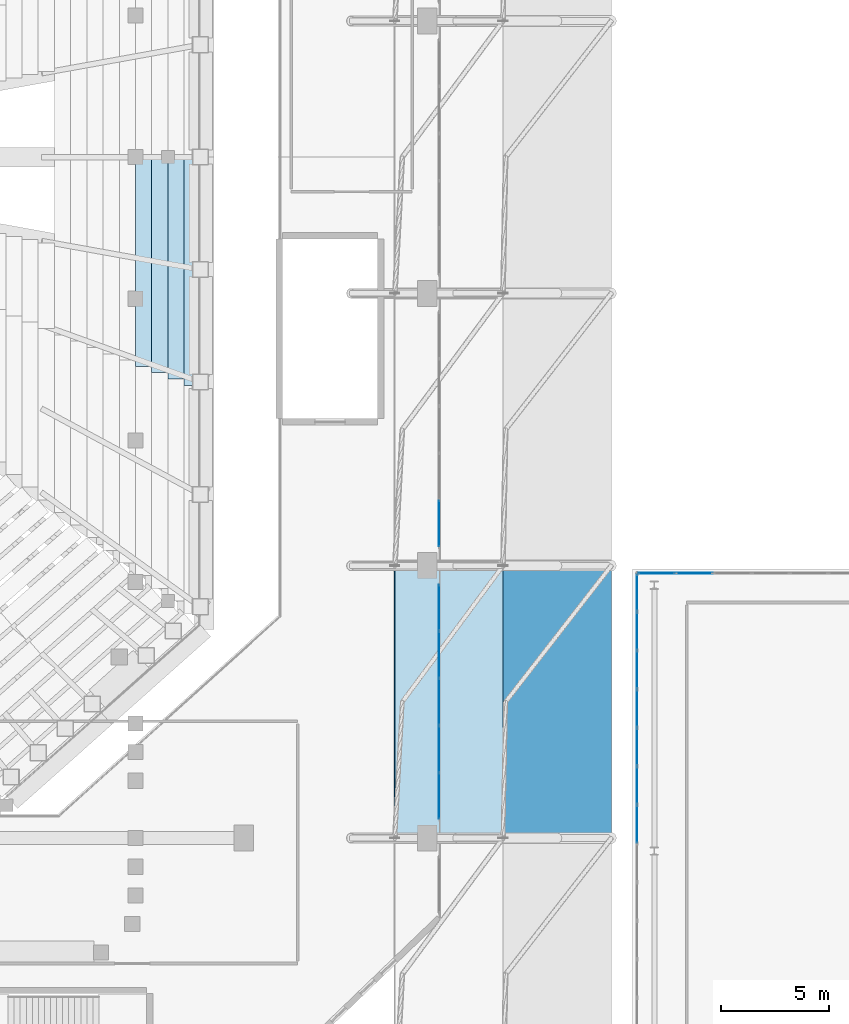
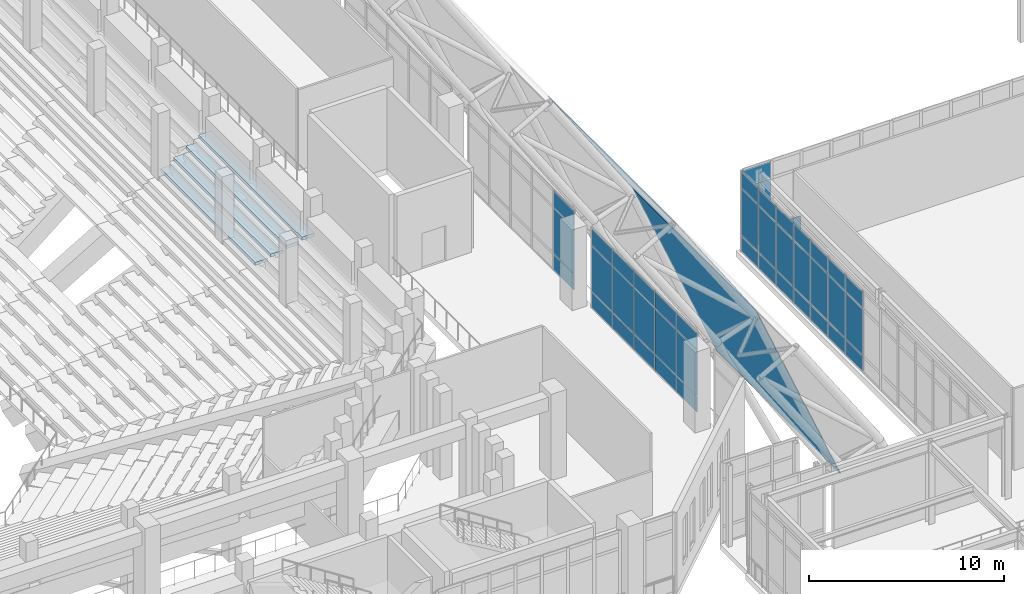
# One storey, part 97 of 159: 45 plates, 4 slabs, 4 elements without a shape of their own.
"""IFC4 building model written with IfcOpenShell, lengths in metres."""

from ifc_helpers import new_model, si_unit, derived_unit, direction, frame, origin, origin_2d, place, context, subcontext, project, spatial, polyline, rectangle, outline, extrude, material, layer, layer_set, type_object, element, aggregate, save


model = new_model("IFC4")

# Units and contexts
model_context = context("Model", 3, precision=1e-05, world=origin(), true_north=direction((0.0, 1.0)))
body_context = subcontext(model_context, "Body", "Model", "MODEL_VIEW")
ifc_project = project(units=[si_unit("LENGTHUNIT", "METRE"), si_unit("AREAUNIT", "SQUARE_METRE"), si_unit("VOLUMEUNIT", "CUBIC_METRE"), si_unit("PLANEANGLEUNIT", "RADIAN"), si_unit("MASSUNIT", "GRAM", prefix="KILO"), derived_unit("THERMALTRANSMITTANCEUNIT", [(si_unit("MASSUNIT", "GRAM", prefix="KILO"), 1), (si_unit("TIMEUNIT", "SECOND"), -3), (si_unit("THERMODYNAMICTEMPERATUREUNIT", "KELVIN"), -1)])], contexts=[model_context])

# Site, building, storey
site_placement = place(None, origin())
site = spatial("IfcSite", under=ifc_project, at=site_placement, CompositionType="ELEMENT")
building_placement = place(site_placement, origin())
building = spatial("IfcBuilding", under=site, at=building_placement, Name="Valcora Ridge Arena", CompositionType="ELEMENT")
storey_placement = place(building_placement, frame((0.0, 0.0, 6.0)))
storey = spatial("IfcBuildingStorey", under=building, at=storey_placement, Name="L01", CompositionType="ELEMENT", Elevation=6.0)

# Plates
ifc_material_1 = material(Name="Steel ASTM A572 Grade 50", Category="steel")
ifc_layer_1 = layer(ifc_material_1, 0.048095703125, Name="Steel ASTM A572 Grade 50")
ifc_layer_set_1 = layer_set([ifc_layer_1], Name="Steel ASTM A572 Grade 50")
plate_type_1 = type_object("IfcPlateType", Name="TY-PLATE-PL-SKIRT-13", PredefinedType="SHEET", material=ifc_layer_set_1)
plate_1_placement = place(storey_placement, frame((101.0, 32.60009765625, 13.45361328125), z_axis=(0.831958588032, 0.0, 0.554837731053), x_axis=(0.554837731053, 0.0, -0.831958588032)))
element("IfcPlate", 1, at=plate_1_placement, inside=storey, type_object=plate_type_1, Name="PL-SKIRT-13 PLT-RF-0003", PredefinedType="SHEET", context=body_context, shape_type="SweptSolid", body=[
    extrude(outline(polyline([(0.0, 0.0), (9.0116438017177, 0.0), (9.0116438017177, 12.599853515625), (0.0, 12.599853515625), (0.0, 0.0)])), origin(), (0.0, 0.0, -1.0), 0.048095703125),
])
ifc_layer_2 = layer(ifc_material_1, 0.048095703125, Name="Steel ASTM A572 Grade 50")
ifc_layer_set_2 = layer_set([ifc_layer_2], Name="Steel ASTM A572 Grade 50")
plate_type_2 = type_object("IfcPlateType", Name="TY-PLATE-PL-SKIRT-14", PredefinedType="SHEET", material=ifc_layer_set_2)
plate_2_placement = place(storey_placement, frame((106.0, 32.60009765625, 5.956298828125), z_axis=(0.922302243293, 0.0, 0.386469367501), x_axis=(0.386469367501, 0.0, -0.922302243293)))
element("IfcPlate", 2, at=plate_2_placement, inside=storey, type_object=plate_type_2, Name="PL-SKIRT-14 PLT-RF-0004", PredefinedType="SHEET", context=body_context, shape_type="SweptSolid", body=[
    extrude(outline(polyline([(0.0, 0.0), (12.963536535956578, 0.0), (12.963536535956578, 12.599853515624996), (0.0, 12.599853515624996), (0.0, 0.0)])), origin(), (0.0, 0.0, -1.0), 0.048095703125),
])

# Curtain wall, plates
ifc_material_2 = material(Name="Anodised dark bronze architectural aluminium 6063-T6", Category="aluminium")
ifc_layer_3 = layer(ifc_material_2, 0.179931640625, Name="Anodised dark bronze architectural aluminium 6063-T6")
ifc_layer_set_3 = layer_set([ifc_layer_3], Name="Anodised dark bronze architectural aluminium 6063-T6")
curtain_wall_type_1 = type_object("IfcCurtainWallType", Name="TY-CURTAINWALL-CW-V3-LANCET-194X51", PredefinedType="NOTDEFINED", material=ifc_layer_set_3)
curtain_wall_1_placement = place(storey_placement, origin())
curtain_wall_1 = element("IfcCurtainWall", 3, at=curtain_wall_1_placement, inside=storey, type_object=curtain_wall_type_1, Name="CW-V3-LANCET-194X51 CW-0017", PredefinedType="NOTDEFINED")
ifc_material_3 = material(Name="Low-iron solar-control double glazing SHGC 0.28", Category="glass")
ifc_layer_4 = layer(ifc_material_3, 0.031982421875, Name="Low-iron solar-control double glazing SHGC 0.28")
ifc_layer_set_4 = layer_set([ifc_layer_4], Name="Low-iron solar-control double glazing SHGC 0.28")
plate_type_3 = type_object("IfcPlateType", Name="TY-PLT-CWP-1678X0960", PredefinedType="CURTAIN_PANEL", material=ifc_layer_set_4)
plate_3_placement = place(storey_placement, frame((113.09912109375, 44.85009765625, 0.06005859375), z_axis=(0.0, 0.0, 1.0), x_axis=(1.0, 0.0, 0.0)))
plate_3 = element("IfcPlate", 4, at=plate_3_placement, type_object=plate_type_3, Name="CW-0017/P00-00", PredefinedType="CURTAIN_PANEL", context=body_context, shape_type="SweptSolid", body=[
    extrude(rectangle(XDim=1.677978515625, YDim=0.031982421875, at=origin_2d()), origin(), (0.0, 0.0, 1.0), 0.9599609375),
])
ifc_layer_5 = layer(ifc_material_3, 0.031982421875, Name="Low-iron solar-control double glazing SHGC 0.28")
ifc_layer_set_5 = layer_set([ifc_layer_5], Name="Low-iron solar-control double glazing SHGC 0.28")
plate_type_4 = type_object("IfcPlateType", Name="TY-PLT-CWP-1678X1010", PredefinedType="CURTAIN_PANEL", material=ifc_layer_set_5)
plate_4_placement = place(storey_placement, frame((113.09912109375, 44.85009765625, 4.02978515625), z_axis=(0.0, 0.0, 1.0), x_axis=(1.0, 0.0, 0.0)))
plate_4 = element("IfcPlate", 5, at=plate_4_placement, type_object=plate_type_4, Name="CW-0017/P00-02", PredefinedType="CURTAIN_PANEL", context=body_context, shape_type="SweptSolid", body=[
    extrude(rectangle(XDim=1.677978515625, YDim=0.031982421875, at=origin_2d()), origin(), (0.0, 0.0, 1.0), 1.010009765625),
])
ifc_layer_6 = layer(ifc_material_3, 0.031982421875, Name="Low-iron solar-control double glazing SHGC 0.28")
ifc_layer_set_6 = layer_set([ifc_layer_6], Name="Low-iron solar-control double glazing SHGC 0.28")
plate_type_5 = type_object("IfcPlateType", Name="TY-PLT-CWP-1678X2890", PredefinedType="CURTAIN_PANEL", material=ifc_layer_set_6)
plate_5_placement = place(storey_placement, frame((113.09912109375, 44.85009765625, 1.080078125), z_axis=(0.0, 0.0, 1.0), x_axis=(1.0, 0.0, 0.0)))
plate_5 = element("IfcPlate", 6, at=plate_5_placement, type_object=plate_type_5, Name="CW-0017/P00-01", PredefinedType="CURTAIN_PANEL", context=body_context, shape_type="SweptSolid", body=[
    extrude(rectangle(XDim=1.677978515625, YDim=0.031982421875, at=origin_2d()), origin(), (0.0, 0.0, 1.0), 2.889892578125),
])

ifc_layer_7 = layer(ifc_material_2, 0.179931640625, Name="Anodised dark bronze architectural aluminium 6063-T6")
ifc_layer_set_7 = layer_set([ifc_layer_7], Name="Anodised dark bronze architectural aluminium 6063-T6")
curtain_wall_type_2 = type_object("IfcCurtainWallType", Name="TY-CURTAINWALL-CW-V3-LANCET-250X51", PredefinedType="NOTDEFINED", material=ifc_layer_set_7)
curtain_wall_2_placement = place(storey_placement, origin())
curtain_wall_2 = element("IfcCurtainWall", 7, at=curtain_wall_2_placement, inside=storey, type_object=curtain_wall_type_2, Name="CW-V3-LANCET-250X51 CW-0018", PredefinedType="NOTDEFINED")
ifc_layer_8 = layer(ifc_material_3, 0.031982421875, Name="Low-iron solar-control double glazing SHGC 0.28")
ifc_layer_set_8 = layer_set([ifc_layer_8], Name="Low-iron solar-control double glazing SHGC 0.28")
plate_type_6 = type_object("IfcPlateType", Name="TY-PLT-CWP-1696X0960", PredefinedType="CURTAIN_PANEL", material=ifc_layer_set_8)
plate_6_placement = place(storey_placement, frame((112.199951171875, 43.94189453125, 0.06005859375), z_axis=(0.0, 0.0, 1.0), x_axis=(0.0, 1.0, 0.0)))
plate_6 = element("IfcPlate", 8, at=plate_6_placement, type_object=plate_type_6, Name="CW-0018/P13-00", PredefinedType="CURTAIN_PANEL", context=body_context, shape_type="SweptSolid", body=[
    extrude(rectangle(XDim=1.696044921875, YDim=0.031982421875, at=origin_2d()), origin(), (0.0, 0.0, 1.0), 0.9599609375),
])
ifc_layer_9 = layer(ifc_material_3, 0.031982421875, Name="Low-iron solar-control double glazing SHGC 0.28")
ifc_layer_set_9 = layer_set([ifc_layer_9], Name="Low-iron solar-control double glazing SHGC 0.28")
plate_type_7 = type_object("IfcPlateType", Name="TY-PLT-CWP-1696X1010", PredefinedType="CURTAIN_PANEL", material=ifc_layer_set_9)
plate_7_placement = place(storey_placement, frame((112.199951171875, 43.94189453125, 4.02978515625), z_axis=(0.0, 0.0, 1.0), x_axis=(0.0, 1.0, 0.0)))
plate_7 = element("IfcPlate", 9, at=plate_7_placement, type_object=plate_type_7, Name="CW-0018/P13-02", PredefinedType="CURTAIN_PANEL", context=body_context, shape_type="SweptSolid", body=[
    extrude(rectangle(XDim=1.696044921875, YDim=0.031982421875, at=origin_2d()), origin(), (0.0, 0.0, 1.0), 1.010009765625),
])
ifc_layer_10 = layer(ifc_material_3, 0.031982421875, Name="Low-iron solar-control double glazing SHGC 0.28")
ifc_layer_set_10 = layer_set([ifc_layer_10], Name="Low-iron solar-control double glazing SHGC 0.28")
plate_type_8 = type_object("IfcPlateType", Name="TY-PLT-CWP-1696X2890", PredefinedType="CURTAIN_PANEL", material=ifc_layer_set_10)
plate_8_placement = place(storey_placement, frame((112.199951171875, 43.94189453125, 1.080078125), z_axis=(0.0, 0.0, 1.0), x_axis=(0.0, 1.0, 0.0)))
plate_8 = element("IfcPlate", 10, at=plate_8_placement, type_object=plate_type_8, Name="CW-0018/P13-01", PredefinedType="CURTAIN_PANEL", context=body_context, shape_type="SweptSolid", body=[
    extrude(rectangle(XDim=1.696044921875, YDim=0.031982421875, at=origin_2d()), origin(), (0.0, 0.0, 1.0), 2.889892578125),
])

# Plate
ifc_layer_11 = layer(ifc_material_3, 0.031982421875, Name="Low-iron solar-control double glazing SHGC 0.28")
ifc_layer_set_11 = layer_set([ifc_layer_11], Name="Low-iron solar-control double glazing SHGC 0.28")
plate_type_9 = type_object("IfcPlateType", Name="TY-PLT-CWP-1708X0960", PredefinedType="CURTAIN_PANEL", material=ifc_layer_set_11)
plate_9_placement = place(storey_placement, frame((114.85205078125, 44.85009765625, 0.06005859375), z_axis=(0.0, 0.0, 1.0), x_axis=(1.0, 0.0, 0.0)))
plate_9 = element("IfcPlate", 11, at=plate_9_placement, type_object=plate_type_9, Name="CW-0017/P01-00", PredefinedType="CURTAIN_PANEL", context=body_context, shape_type="SweptSolid", body=[
    extrude(rectangle(XDim=1.7080078125, YDim=0.031982421875, at=origin_2d()), origin(), (0.0, 0.0, 1.0), 0.9599609375),
])

aggregate(curtain_wall_1, [plate_3, plate_5, plate_4, plate_9])

ifc_layer_12 = layer(ifc_material_3, 0.031982421875, Name="Low-iron solar-control double glazing SHGC 0.28")
ifc_layer_set_12 = layer_set([ifc_layer_12], Name="Low-iron solar-control double glazing SHGC 0.28")
plate_type_10 = type_object("IfcPlateType", Name="TY-PLT-CWP-1725X0960", PredefinedType="CURTAIN_PANEL", material=ifc_layer_set_12)
plate_10_placement = place(storey_placement, frame((112.199951171875, 35.028564453125, 0.06005859375), z_axis=(0.0, 0.0, 1.0), x_axis=(0.0, 1.0, 0.0)))
plate_10 = element("IfcPlate", 12, at=plate_10_placement, type_object=plate_type_10, Name="CW-0018/P08-00", PredefinedType="CURTAIN_PANEL", context=body_context, shape_type="SweptSolid", body=[
    extrude(rectangle(XDim=1.72509765625, YDim=0.031982421875, at=origin_2d()), origin(), (0.0, 0.0, 1.0), 0.9599609375),
])

plate_11_placement = place(storey_placement, frame((112.199951171875, 42.17138671875, 0.06005859375), z_axis=(0.0, 0.0, 1.0), x_axis=(0.0, 1.0, 0.0)))
plate_11 = element("IfcPlate", 13, at=plate_11_placement, type_object=plate_type_10, Name="CW-0018/P12-00", PredefinedType="CURTAIN_PANEL", context=body_context, shape_type="SweptSolid", body=[
    extrude(rectangle(XDim=1.72509765625, YDim=0.031982421875, at=origin_2d()), origin(), (0.0, 0.0, 1.0), 0.9599609375),
])

ifc_layer_13 = layer(ifc_material_3, 0.031982421875, Name="Low-iron solar-control double glazing SHGC 0.28")
ifc_layer_set_13 = layer_set([ifc_layer_13], Name="Low-iron solar-control double glazing SHGC 0.28")
plate_type_11 = type_object("IfcPlateType", Name="TY-PLT-CWP-1725X1010", PredefinedType="CURTAIN_PANEL", material=ifc_layer_set_13)
plate_12_placement = place(storey_placement, frame((112.199951171875, 35.028564453125, 4.02978515625), z_axis=(0.0, 0.0, 1.0), x_axis=(0.0, 1.0, 0.0)))
plate_12 = element("IfcPlate", 14, at=plate_12_placement, type_object=plate_type_11, Name="CW-0018/P08-02", PredefinedType="CURTAIN_PANEL", context=body_context, shape_type="SweptSolid", body=[
    extrude(rectangle(XDim=1.72509765625, YDim=0.031982421875, at=origin_2d()), origin(), (0.0, 0.0, 1.0), 1.010009765625),
])

plate_13_placement = place(storey_placement, frame((112.199951171875, 42.17138671875, 4.02978515625), z_axis=(0.0, 0.0, 1.0), x_axis=(0.0, 1.0, 0.0)))
plate_13 = element("IfcPlate", 15, at=plate_13_placement, type_object=plate_type_11, Name="CW-0018/P12-02", PredefinedType="CURTAIN_PANEL", context=body_context, shape_type="SweptSolid", body=[
    extrude(rectangle(XDim=1.72509765625, YDim=0.031982421875, at=origin_2d()), origin(), (0.0, 0.0, 1.0), 1.010009765625),
])

ifc_layer_14 = layer(ifc_material_3, 0.031982421875, Name="Low-iron solar-control double glazing SHGC 0.28")
ifc_layer_set_14 = layer_set([ifc_layer_14], Name="Low-iron solar-control double glazing SHGC 0.28")
plate_type_12 = type_object("IfcPlateType", Name="TY-PLT-CWP-1725X2890", PredefinedType="CURTAIN_PANEL", material=ifc_layer_set_14)
plate_14_placement = place(storey_placement, frame((112.199951171875, 35.028564453125, 1.080078125), z_axis=(0.0, 0.0, 1.0), x_axis=(0.0, 1.0, 0.0)))
plate_14 = element("IfcPlate", 16, at=plate_14_placement, type_object=plate_type_12, Name="CW-0018/P08-01", PredefinedType="CURTAIN_PANEL", context=body_context, shape_type="SweptSolid", body=[
    extrude(rectangle(XDim=1.72509765625, YDim=0.031982421875, at=origin_2d()), origin(), (0.0, 0.0, 1.0), 2.889892578125),
])

plate_15_placement = place(storey_placement, frame((112.199951171875, 42.17138671875, 1.080078125), z_axis=(0.0, 0.0, 1.0), x_axis=(0.0, 1.0, 0.0)))
plate_15 = element("IfcPlate", 17, at=plate_15_placement, type_object=plate_type_12, Name="CW-0018/P12-01", PredefinedType="CURTAIN_PANEL", context=body_context, shape_type="SweptSolid", body=[
    extrude(rectangle(XDim=1.72509765625, YDim=0.031982421875, at=origin_2d()), origin(), (0.0, 0.0, 1.0), 2.889892578125),
])

ifc_layer_15 = layer(ifc_material_3, 0.031982421875, Name="Low-iron solar-control double glazing SHGC 0.28")
ifc_layer_set_15 = layer_set([ifc_layer_15], Name="Low-iron solar-control double glazing SHGC 0.28")
plate_type_13 = type_object("IfcPlateType", Name="TY-PLT-CWP-1726X0960", PredefinedType="CURTAIN_PANEL", material=ifc_layer_set_15)
plate_16_placement = place(storey_placement, frame((112.199951171875, 33.242919921875, 0.06005859375), z_axis=(0.0, 0.0, 1.0), x_axis=(0.0, 1.0, 0.0)))
plate_16 = element("IfcPlate", 18, at=plate_16_placement, type_object=plate_type_13, Name="CW-0018/P07-00", PredefinedType="CURTAIN_PANEL", context=body_context, shape_type="SweptSolid", body=[
    extrude(rectangle(XDim=1.72607421875, YDim=0.031982421875, at=origin_2d()), origin(), (0.0, 0.0, 1.0), 0.9599609375),
])

plate_17_placement = place(storey_placement, frame((112.199951171875, 36.81396484375, 0.06005859375), z_axis=(0.0, 0.0, 1.0), x_axis=(0.0, 1.0, 0.0)))
plate_17 = element("IfcPlate", 19, at=plate_17_placement, type_object=plate_type_13, Name="CW-0018/P09-00", PredefinedType="CURTAIN_PANEL", context=body_context, shape_type="SweptSolid", body=[
    extrude(rectangle(XDim=1.72607421875, YDim=0.031982421875, at=origin_2d()), origin(), (0.0, 0.0, 1.0), 0.9599609375),
])

plate_18_placement = place(storey_placement, frame((112.199951171875, 38.60009765625, 0.06005859375), z_axis=(0.0, 0.0, 1.0), x_axis=(0.0, 1.0, 0.0)))
plate_18 = element("IfcPlate", 20, at=plate_18_placement, type_object=plate_type_13, Name="CW-0018/P10-00", PredefinedType="CURTAIN_PANEL", context=body_context, shape_type="SweptSolid", body=[
    extrude(rectangle(XDim=1.72607421875, YDim=0.031982421875, at=origin_2d()), origin(), (0.0, 0.0, 1.0), 0.9599609375),
])

plate_19_placement = place(storey_placement, frame((112.199951171875, 40.385986328125, 0.06005859375), z_axis=(0.0, 0.0, 1.0), x_axis=(0.0, 1.0, 0.0)))
plate_19 = element("IfcPlate", 21, at=plate_19_placement, type_object=plate_type_13, Name="CW-0018/P11-00", PredefinedType="CURTAIN_PANEL", context=body_context, shape_type="SweptSolid", body=[
    extrude(rectangle(XDim=1.72607421875, YDim=0.031982421875, at=origin_2d()), origin(), (0.0, 0.0, 1.0), 0.9599609375),
])

ifc_layer_16 = layer(ifc_material_3, 0.031982421875, Name="Low-iron solar-control double glazing SHGC 0.28")
ifc_layer_set_16 = layer_set([ifc_layer_16], Name="Low-iron solar-control double glazing SHGC 0.28")
plate_type_14 = type_object("IfcPlateType", Name="TY-PLT-CWP-1726X1010", PredefinedType="CURTAIN_PANEL", material=ifc_layer_set_16)
plate_20_placement = place(storey_placement, frame((112.199951171875, 33.242919921875, 4.02978515625), z_axis=(0.0, 0.0, 1.0), x_axis=(0.0, 1.0, 0.0)))
plate_20 = element("IfcPlate", 22, at=plate_20_placement, type_object=plate_type_14, Name="CW-0018/P07-02", PredefinedType="CURTAIN_PANEL", context=body_context, shape_type="SweptSolid", body=[
    extrude(rectangle(XDim=1.72607421875, YDim=0.031982421875, at=origin_2d()), origin(), (0.0, 0.0, 1.0), 1.010009765625),
])

plate_21_placement = place(storey_placement, frame((112.199951171875, 36.81396484375, 4.02978515625), z_axis=(0.0, 0.0, 1.0), x_axis=(0.0, 1.0, 0.0)))
plate_21 = element("IfcPlate", 23, at=plate_21_placement, type_object=plate_type_14, Name="CW-0018/P09-02", PredefinedType="CURTAIN_PANEL", context=body_context, shape_type="SweptSolid", body=[
    extrude(rectangle(XDim=1.72607421875, YDim=0.031982421875, at=origin_2d()), origin(), (0.0, 0.0, 1.0), 1.010009765625),
])

plate_22_placement = place(storey_placement, frame((112.199951171875, 38.60009765625, 4.02978515625), z_axis=(0.0, 0.0, 1.0), x_axis=(0.0, 1.0, 0.0)))
plate_22 = element("IfcPlate", 24, at=plate_22_placement, type_object=plate_type_14, Name="CW-0018/P10-02", PredefinedType="CURTAIN_PANEL", context=body_context, shape_type="SweptSolid", body=[
    extrude(rectangle(XDim=1.72607421875, YDim=0.031982421875, at=origin_2d()), origin(), (0.0, 0.0, 1.0), 1.010009765625),
])

plate_23_placement = place(storey_placement, frame((112.199951171875, 40.385986328125, 4.02978515625), z_axis=(0.0, 0.0, 1.0), x_axis=(0.0, 1.0, 0.0)))
plate_23 = element("IfcPlate", 25, at=plate_23_placement, type_object=plate_type_14, Name="CW-0018/P11-02", PredefinedType="CURTAIN_PANEL", context=body_context, shape_type="SweptSolid", body=[
    extrude(rectangle(XDim=1.72607421875, YDim=0.031982421875, at=origin_2d()), origin(), (0.0, 0.0, 1.0), 1.010009765625),
])

ifc_layer_17 = layer(ifc_material_3, 0.031982421875, Name="Low-iron solar-control double glazing SHGC 0.28")
ifc_layer_set_17 = layer_set([ifc_layer_17], Name="Low-iron solar-control double glazing SHGC 0.28")
plate_type_15 = type_object("IfcPlateType", Name="TY-PLT-CWP-1726X2890", PredefinedType="CURTAIN_PANEL", material=ifc_layer_set_17)
plate_24_placement = place(storey_placement, frame((112.199951171875, 33.242919921875, 1.080078125), z_axis=(0.0, 0.0, 1.0), x_axis=(0.0, 1.0, 0.0)))
plate_24 = element("IfcPlate", 26, at=plate_24_placement, type_object=plate_type_15, Name="CW-0018/P07-01", PredefinedType="CURTAIN_PANEL", context=body_context, shape_type="SweptSolid", body=[
    extrude(rectangle(XDim=1.72607421875, YDim=0.031982421875, at=origin_2d()), origin(), (0.0, 0.0, 1.0), 2.889892578125),
])

plate_25_placement = place(storey_placement, frame((112.199951171875, 36.81396484375, 1.080078125), z_axis=(0.0, 0.0, 1.0), x_axis=(0.0, 1.0, 0.0)))
plate_25 = element("IfcPlate", 27, at=plate_25_placement, type_object=plate_type_15, Name="CW-0018/P09-01", PredefinedType="CURTAIN_PANEL", context=body_context, shape_type="SweptSolid", body=[
    extrude(rectangle(XDim=1.72607421875, YDim=0.031982421875, at=origin_2d()), origin(), (0.0, 0.0, 1.0), 2.889892578125),
])

plate_26_placement = place(storey_placement, frame((112.199951171875, 38.60009765625, 1.080078125), z_axis=(0.0, 0.0, 1.0), x_axis=(0.0, 1.0, 0.0)))
plate_26 = element("IfcPlate", 28, at=plate_26_placement, type_object=plate_type_15, Name="CW-0018/P10-01", PredefinedType="CURTAIN_PANEL", context=body_context, shape_type="SweptSolid", body=[
    extrude(rectangle(XDim=1.72607421875, YDim=0.031982421875, at=origin_2d()), origin(), (0.0, 0.0, 1.0), 2.889892578125),
])

plate_27_placement = place(storey_placement, frame((112.199951171875, 40.385986328125, 1.080078125), z_axis=(0.0, 0.0, 1.0), x_axis=(0.0, 1.0, 0.0)))
plate_27 = element("IfcPlate", 29, at=plate_27_placement, type_object=plate_type_15, Name="CW-0018/P11-01", PredefinedType="CURTAIN_PANEL", context=body_context, shape_type="SweptSolid", body=[
    extrude(rectangle(XDim=1.72607421875, YDim=0.031982421875, at=origin_2d()), origin(), (0.0, 0.0, 1.0), 2.889892578125),
])

aggregate(curtain_wall_2, [plate_16, plate_24, plate_20, plate_10, plate_14, plate_12, plate_17, plate_25, plate_21, plate_18, plate_26, plate_22, plate_19, plate_27, plate_23, plate_11, plate_15, plate_13, plate_6, plate_8, plate_7])

# Curtain wall, plates
ifc_layer_18 = layer(ifc_material_2, 0.14990234375, Name="Anodised dark bronze architectural aluminium 6063-T6")
ifc_layer_set_18 = layer_set([ifc_layer_18], Name="Anodised dark bronze architectural aluminium 6063-T6")
curtain_wall_type_3 = type_object("IfcCurtainWallType", Name="TY-CURTAINWALL-CW-V1-EAST-109X50", PredefinedType="NOTDEFINED", material=ifc_layer_set_18)
curtain_wall_3_placement = place(storey_placement, origin())
curtain_wall_3 = element("IfcCurtainWall", 30, at=curtain_wall_3_placement, inside=storey, type_object=curtain_wall_type_3, Name="CW-V1-EAST-109X50 CW-0107", PredefinedType="NOTDEFINED")
ifc_layer_19 = layer(ifc_material_3, 0.028076171875, Name="Low-iron solar-control double glazing SHGC 0.28")
ifc_layer_set_19 = layer_set([ifc_layer_19], Name="Low-iron solar-control double glazing SHGC 0.28")
plate_type_16 = type_object("IfcPlateType", Name="TY-PLT-CWP-2109X0975", PredefinedType="CURTAIN_PANEL", material=ifc_layer_set_19)
plate_28_placement = place(storey_placement, frame((103.050048828125, 34.54443359375, 0.050048828125), z_axis=(0.0, 0.0, 1.0), x_axis=(0.0, 1.0, 0.0)))
plate_28 = element("IfcPlate", 31, at=plate_28_placement, type_object=plate_type_16, Name="CW-0107/P00-00", PredefinedType="CURTAIN_PANEL", context=body_context, shape_type="SweptSolid", body=[
    extrude(rectangle(XDim=2.10888671875, YDim=0.028076171875, at=origin_2d()), origin(), (0.0, 0.0, 1.0), 0.97509765625),
])
plate_29_placement = place(storey_placement, frame((103.050048828125, 43.255615234375, 0.050048828125), z_axis=(0.0, 0.0, 1.0), x_axis=(0.0, 1.0, 0.0)))
plate_29 = element("IfcPlate", 32, at=plate_29_placement, type_object=plate_type_16, Name="CW-0107/P04-00", PredefinedType="CURTAIN_PANEL", context=body_context, shape_type="SweptSolid", body=[
    extrude(rectangle(XDim=2.10888671875, YDim=0.028076171875, at=origin_2d()), origin(), (0.0, 0.0, 1.0), 0.97509765625),
])

# Curtain wall, plate
curtain_wall_4_placement = place(storey_placement, origin())
curtain_wall_4 = element("IfcCurtainWall", 33, at=curtain_wall_4_placement, inside=storey, type_object=curtain_wall_type_3, Name="CW-V1-EAST-109X50 CW-0108", PredefinedType="NOTDEFINED")
plate_30_placement = place(storey_placement, frame((103.050048828125, 47.14453125, 0.050048828125), z_axis=(0.0, 0.0, 1.0), x_axis=(0.0, 1.0, 0.0)))
plate_30 = element("IfcPlate", 34, at=plate_30_placement, type_object=plate_type_16, Name="CW-0108/P00-00", PredefinedType="CURTAIN_PANEL", context=body_context, shape_type="SweptSolid", body=[
    extrude(rectangle(XDim=2.10888671875, YDim=0.028076171875, at=origin_2d()), origin(), (0.0, 0.0, 1.0), 0.97509765625),
])

# Plate
ifc_layer_20 = layer(ifc_material_3, 0.028076171875, Name="Low-iron solar-control double glazing SHGC 0.28")
ifc_layer_set_20 = layer_set([ifc_layer_20], Name="Low-iron solar-control double glazing SHGC 0.28")
plate_type_17 = type_object("IfcPlateType", Name="TY-PLT-CWP-2109X1025", PredefinedType="CURTAIN_PANEL", material=ifc_layer_set_20)
plate_31_placement = place(storey_placement, frame((103.050048828125, 34.54443359375, 3.965087890625), z_axis=(0.0, 0.0, 1.0), x_axis=(0.0, 1.0, 0.0)))
plate_31 = element("IfcPlate", 35, at=plate_31_placement, type_object=plate_type_17, Name="CW-0107/P00-02", PredefinedType="CURTAIN_PANEL", context=body_context, shape_type="SweptSolid", body=[
    extrude(rectangle(XDim=2.10888671875, YDim=0.028076171875, at=origin_2d()), origin(), (0.0, 0.0, 1.0), 1.02490234375),
])

plate_32_placement = place(storey_placement, frame((103.050048828125, 43.255615234375, 3.965087890625), z_axis=(0.0, 0.0, 1.0), x_axis=(0.0, 1.0, 0.0)))
plate_32 = element("IfcPlate", 36, at=plate_32_placement, type_object=plate_type_17, Name="CW-0107/P04-02", PredefinedType="CURTAIN_PANEL", context=body_context, shape_type="SweptSolid", body=[
    extrude(rectangle(XDim=2.10888671875, YDim=0.028076171875, at=origin_2d()), origin(), (0.0, 0.0, 1.0), 1.02490234375),
])

plate_33_placement = place(storey_placement, frame((103.050048828125, 47.14453125, 3.965087890625), z_axis=(0.0, 0.0, 1.0), x_axis=(0.0, 1.0, 0.0)))
plate_33 = element("IfcPlate", 37, at=plate_33_placement, type_object=plate_type_17, Name="CW-0108/P00-02", PredefinedType="CURTAIN_PANEL", context=body_context, shape_type="SweptSolid", body=[
    extrude(rectangle(XDim=2.10888671875, YDim=0.028076171875, at=origin_2d()), origin(), (0.0, 0.0, 1.0), 1.02490234375),
])

ifc_layer_21 = layer(ifc_material_3, 0.028076171875, Name="Low-iron solar-control double glazing SHGC 0.28")
ifc_layer_set_21 = layer_set([ifc_layer_21], Name="Low-iron solar-control double glazing SHGC 0.28")
plate_type_18 = type_object("IfcPlateType", Name="TY-PLT-CWP-2109X2840", PredefinedType="CURTAIN_PANEL", material=ifc_layer_set_21)
plate_34_placement = place(storey_placement, frame((103.050048828125, 34.54443359375, 1.0751953125), z_axis=(0.0, 0.0, 1.0), x_axis=(0.0, 1.0, 0.0)))
plate_34 = element("IfcPlate", 38, at=plate_34_placement, type_object=plate_type_18, Name="CW-0107/P00-01", PredefinedType="CURTAIN_PANEL", context=body_context, shape_type="SweptSolid", body=[
    extrude(rectangle(XDim=2.10888671875, YDim=0.028076171875, at=origin_2d()), origin(), (0.0, 0.0, 1.0), 2.840087890625),
])

plate_35_placement = place(storey_placement, frame((103.050048828125, 43.255615234375, 1.0751953125), z_axis=(0.0, 0.0, 1.0), x_axis=(0.0, 1.0, 0.0)))
plate_35 = element("IfcPlate", 39, at=plate_35_placement, type_object=plate_type_18, Name="CW-0107/P04-01", PredefinedType="CURTAIN_PANEL", context=body_context, shape_type="SweptSolid", body=[
    extrude(rectangle(XDim=2.10888671875, YDim=0.028076171875, at=origin_2d()), origin(), (0.0, 0.0, 1.0), 2.840087890625),
])

plate_36_placement = place(storey_placement, frame((103.050048828125, 47.14453125, 1.0751953125), z_axis=(0.0, 0.0, 1.0), x_axis=(0.0, 1.0, 0.0)))
plate_36 = element("IfcPlate", 40, at=plate_36_placement, type_object=plate_type_18, Name="CW-0108/P00-01", PredefinedType="CURTAIN_PANEL", context=body_context, shape_type="SweptSolid", body=[
    extrude(rectangle(XDim=2.10888671875, YDim=0.028076171875, at=origin_2d()), origin(), (0.0, 0.0, 1.0), 2.840087890625),
])

aggregate(curtain_wall_4, [plate_30, plate_36, plate_33])

ifc_layer_22 = layer(ifc_material_3, 0.028076171875, Name="Low-iron solar-control double glazing SHGC 0.28")
ifc_layer_set_22 = layer_set([ifc_layer_22], Name="Low-iron solar-control double glazing SHGC 0.28")
plate_type_19 = type_object("IfcPlateType", Name="TY-PLT-CWP-2134X0975", PredefinedType="CURTAIN_PANEL", material=ifc_layer_set_22)
plate_37_placement = place(storey_placement, frame((103.050048828125, 36.716064453125, 0.050048828125), z_axis=(0.0, 0.0, 1.0), x_axis=(0.0, 1.0, 0.0)))
plate_37 = element("IfcPlate", 41, at=plate_37_placement, type_object=plate_type_19, Name="CW-0107/P01-00", PredefinedType="CURTAIN_PANEL", context=body_context, shape_type="SweptSolid", body=[
    extrude(rectangle(XDim=2.134033203125, YDim=0.028076171875, at=origin_2d()), origin(), (0.0, 0.0, 1.0), 0.97509765625),
])

plate_38_placement = place(storey_placement, frame((103.050048828125, 38.89990234375, 0.050048828125), z_axis=(0.0, 0.0, 1.0), x_axis=(0.0, 1.0, 0.0)))
plate_38 = element("IfcPlate", 42, at=plate_38_placement, type_object=plate_type_19, Name="CW-0107/P02-00", PredefinedType="CURTAIN_PANEL", context=body_context, shape_type="SweptSolid", body=[
    extrude(rectangle(XDim=2.134033203125, YDim=0.028076171875, at=origin_2d()), origin(), (0.0, 0.0, 1.0), 0.97509765625),
])

plate_39_placement = place(storey_placement, frame((103.050048828125, 41.083984375, 0.050048828125), z_axis=(0.0, 0.0, 1.0), x_axis=(0.0, 1.0, 0.0)))
plate_39 = element("IfcPlate", 43, at=plate_39_placement, type_object=plate_type_19, Name="CW-0107/P03-00", PredefinedType="CURTAIN_PANEL", context=body_context, shape_type="SweptSolid", body=[
    extrude(rectangle(XDim=2.134033203125, YDim=0.028076171875, at=origin_2d()), origin(), (0.0, 0.0, 1.0), 0.97509765625),
])

ifc_layer_23 = layer(ifc_material_3, 0.028076171875, Name="Low-iron solar-control double glazing SHGC 0.28")
ifc_layer_set_23 = layer_set([ifc_layer_23], Name="Low-iron solar-control double glazing SHGC 0.28")
plate_type_20 = type_object("IfcPlateType", Name="TY-PLT-CWP-2134X1025", PredefinedType="CURTAIN_PANEL", material=ifc_layer_set_23)
plate_40_placement = place(storey_placement, frame((103.050048828125, 36.716064453125, 3.965087890625), z_axis=(0.0, 0.0, 1.0), x_axis=(0.0, 1.0, 0.0)))
plate_40 = element("IfcPlate", 44, at=plate_40_placement, type_object=plate_type_20, Name="CW-0107/P01-02", PredefinedType="CURTAIN_PANEL", context=body_context, shape_type="SweptSolid", body=[
    extrude(rectangle(XDim=2.134033203125, YDim=0.028076171875, at=origin_2d()), origin(), (0.0, 0.0, 1.0), 1.02490234375),
])

plate_41_placement = place(storey_placement, frame((103.050048828125, 38.89990234375, 3.965087890625), z_axis=(0.0, 0.0, 1.0), x_axis=(0.0, 1.0, 0.0)))
plate_41 = element("IfcPlate", 45, at=plate_41_placement, type_object=plate_type_20, Name="CW-0107/P02-02", PredefinedType="CURTAIN_PANEL", context=body_context, shape_type="SweptSolid", body=[
    extrude(rectangle(XDim=2.134033203125, YDim=0.028076171875, at=origin_2d()), origin(), (0.0, 0.0, 1.0), 1.02490234375),
])

plate_42_placement = place(storey_placement, frame((103.050048828125, 41.083984375, 3.965087890625), z_axis=(0.0, 0.0, 1.0), x_axis=(0.0, 1.0, 0.0)))
plate_42 = element("IfcPlate", 46, at=plate_42_placement, type_object=plate_type_20, Name="CW-0107/P03-02", PredefinedType="CURTAIN_PANEL", context=body_context, shape_type="SweptSolid", body=[
    extrude(rectangle(XDim=2.134033203125, YDim=0.028076171875, at=origin_2d()), origin(), (0.0, 0.0, 1.0), 1.02490234375),
])

ifc_layer_24 = layer(ifc_material_3, 0.028076171875, Name="Low-iron solar-control double glazing SHGC 0.28")
ifc_layer_set_24 = layer_set([ifc_layer_24], Name="Low-iron solar-control double glazing SHGC 0.28")
plate_type_21 = type_object("IfcPlateType", Name="TY-PLT-CWP-2134X2840", PredefinedType="CURTAIN_PANEL", material=ifc_layer_set_24)
plate_43_placement = place(storey_placement, frame((103.050048828125, 36.716064453125, 1.0751953125), z_axis=(0.0, 0.0, 1.0), x_axis=(0.0, 1.0, 0.0)))
plate_43 = element("IfcPlate", 47, at=plate_43_placement, type_object=plate_type_21, Name="CW-0107/P01-01", PredefinedType="CURTAIN_PANEL", context=body_context, shape_type="SweptSolid", body=[
    extrude(rectangle(XDim=2.134033203125, YDim=0.028076171875, at=origin_2d()), origin(), (0.0, 0.0, 1.0), 2.840087890625),
])

plate_44_placement = place(storey_placement, frame((103.050048828125, 38.89990234375, 1.0751953125), z_axis=(0.0, 0.0, 1.0), x_axis=(0.0, 1.0, 0.0)))
plate_44 = element("IfcPlate", 48, at=plate_44_placement, type_object=plate_type_21, Name="CW-0107/P02-01", PredefinedType="CURTAIN_PANEL", context=body_context, shape_type="SweptSolid", body=[
    extrude(rectangle(XDim=2.134033203125, YDim=0.028076171875, at=origin_2d()), origin(), (0.0, 0.0, 1.0), 2.840087890625),
])

plate_45_placement = place(storey_placement, frame((103.050048828125, 41.083984375, 1.0751953125), z_axis=(0.0, 0.0, 1.0), x_axis=(0.0, 1.0, 0.0)))
plate_45 = element("IfcPlate", 49, at=plate_45_placement, type_object=plate_type_21, Name="CW-0107/P03-01", PredefinedType="CURTAIN_PANEL", context=body_context, shape_type="SweptSolid", body=[
    extrude(rectangle(XDim=2.134033203125, YDim=0.028076171875, at=origin_2d()), origin(), (0.0, 0.0, 1.0), 2.840087890625),
])

aggregate(curtain_wall_3, [plate_28, plate_34, plate_31, plate_37, plate_43, plate_40, plate_38, plate_44, plate_41, plate_39, plate_45, plate_42, plate_29, plate_35, plate_32])

# Slabs
ifc_material_4 = material(Name="Precast concrete C45/55", Category="concrete")
ifc_layer_25 = layer(ifc_material_4, 0.199951171875, Name="Precast concrete C45/55")
ifc_layer_set_25 = layer_set([ifc_layer_25], Name="Precast concrete C45/55")
slab_type_1 = type_object("IfcSlabType", Name="TY-SLAB-ST-LOW-L097", PredefinedType="USERDEFINED", material=ifc_layer_set_25)
slab_1_placement = place(storey_placement, frame((0.0, 0.0, 1.43994140625)))
element("IfcSlab", 50, at=slab_1_placement, inside=storey, type_object=slab_type_1, Name="ST-LOW-L097 SLB-TR-0392", ObjectType="SEATING TIER", PredefinedType="USERDEFINED", context=body_context, shape_type="SweptSolid", body=[
    extrude(outline(polyline([(89.0, 54.419921875), (89.0, 64.10009765625), (89.75, 64.10009765625), (89.75, 54.419921875), (89.0, 54.419921875)])), origin(), (0.0, 0.0, 1.0), 0.199951171875),
])
ifc_layer_26 = layer(ifc_material_4, 0.199951171875, Name="Precast concrete C45/55")
ifc_layer_set_26 = layer_set([ifc_layer_26], Name="Precast concrete C45/55")
slab_type_2 = type_object("IfcSlabType", Name="TY-SLAB-ST-LOW-L100", PredefinedType="USERDEFINED", material=ifc_layer_set_26)
slab_2_placement = place(storey_placement, frame((0.0, 0.0, 1.8798828125)))
element("IfcSlab", 51, at=slab_2_placement, inside=storey, type_object=slab_type_2, Name="ST-LOW-L100 SLB-TR-0416", ObjectType="SEATING TIER", PredefinedType="USERDEFINED", context=body_context, shape_type="SweptSolid", body=[
    extrude(outline(polyline([(89.75, 54.12744140625), (89.75, 64.10009765625), (90.5, 64.10009765625), (90.5, 54.12744140625), (89.75, 54.12744140625)])), origin(), (0.0, 0.0, 1.0), 0.2001953125),
])
ifc_layer_27 = layer(ifc_material_4, 0.199951171875, Name="Precast concrete C45/55")
ifc_layer_set_27 = layer_set([ifc_layer_27], Name="Precast concrete C45/55")
slab_type_3 = type_object("IfcSlabType", Name="TY-SLAB-ST-LOW-L103", PredefinedType="USERDEFINED", material=ifc_layer_set_27)
slab_3_placement = place(storey_placement, frame((0.0, 0.0, 2.320068359375)))
element("IfcSlab", 52, at=slab_3_placement, inside=storey, type_object=slab_type_3, Name="ST-LOW-L103 SLB-TR-0440", ObjectType="SEATING TIER", PredefinedType="USERDEFINED", context=body_context, shape_type="SweptSolid", body=[
    extrude(outline(polyline([(90.5, 53.8349609375), (90.5, 64.10009765625), (91.25, 64.10009765625), (91.25, 53.8349609375), (90.5, 53.8349609375)])), origin(), (0.0, 0.0, 1.0), 0.199951171875),
])
ifc_layer_28 = layer(ifc_material_4, 0.199951171875, Name="Precast concrete C45/55")
ifc_layer_set_28 = layer_set([ifc_layer_28], Name="Precast concrete C45/55")
slab_type_4 = type_object("IfcSlabType", Name="TY-SLAB-ST-LOW-L106", PredefinedType="USERDEFINED", material=ifc_layer_set_28)
slab_4_placement = place(storey_placement, frame((0.0, 0.0, 2.760009765625)))
element("IfcSlab", 53, at=slab_4_placement, inside=storey, type_object=slab_type_4, Name="ST-LOW-L106 SLB-TR-0464", ObjectType="SEATING TIER", PredefinedType="USERDEFINED", context=body_context, shape_type="SweptSolid", body=[
    extrude(outline(polyline([(91.25, 53.54248046875), (91.25, 64.10009765625), (92.0, 64.10009765625), (92.0, 53.54248046875), (91.25, 53.54248046875)])), origin(), (0.0, 0.0, 1.0), 0.199951171875),
])

save(model, "model.ifc")
